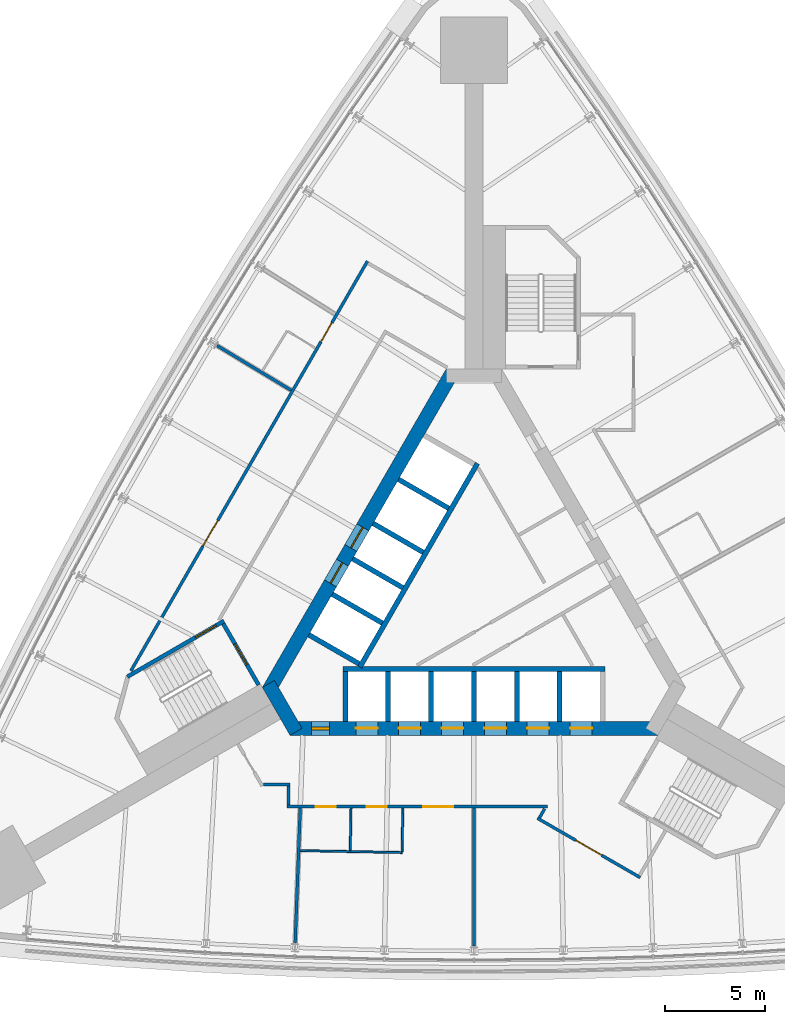
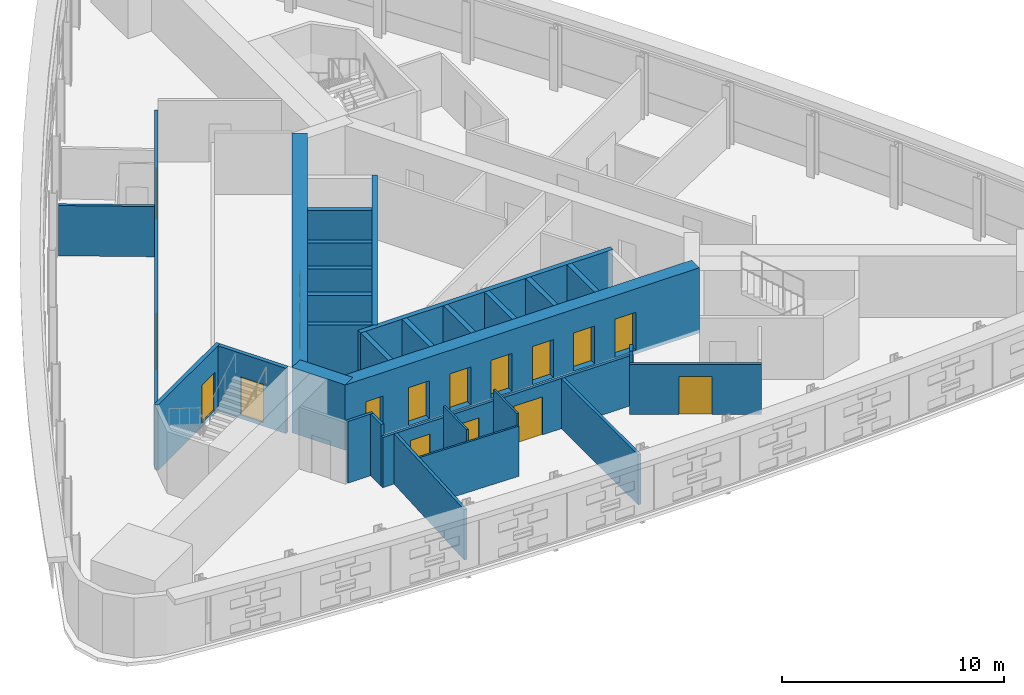
# One storey, part 10 of 14: 30 walls, 17 doors, 17 openings.
"""IFC4 building model written with IfcOpenShell, lengths in metres."""

from ifc_helpers import new_model, si_unit, direction, frame, frame_2d, origin, place, context, subcontext, project, spatial, rectangle, extrude, material, layer, layer_set, type_object, element, fill, save


model = new_model("IFC4")

# Units and contexts
model_context = context("Model", 3, precision=1e-05, world=origin(), true_north=direction((0.0, 1.0)))
body_context = subcontext(model_context, "Body", "Model", "MODEL_VIEW")
ifc_project = project(units=[si_unit("LENGTHUNIT", "METRE"), si_unit("AREAUNIT", "SQUARE_METRE"), si_unit("VOLUMEUNIT", "CUBIC_METRE"), si_unit("PLANEANGLEUNIT", "RADIAN"), si_unit("MASSUNIT", "GRAM", prefix="KILO")], contexts=[model_context])

# Site, building, storey
site_placement = place(None, origin())
site = spatial("IfcSite", under=ifc_project, at=site_placement, CompositionType="ELEMENT")
building_placement = place(site_placement, origin())
building = spatial("IfcBuilding", under=site, at=building_placement, Name="Noor Cloister Tower", CompositionType="ELEMENT")
storey_placement = place(building_placement, frame((0.0, 0.0, 34.800048828125)))
storey = spatial("IfcBuildingStorey", under=building, at=storey_placement, Name="L08", CompositionType="ELEMENT", Elevation=34.800048828125)

# Wall, openings, doors
ifc_material_1 = material(Name="Concrete C80/95", Category="concrete")
ifc_layer_1 = layer(ifc_material_1, 0.699951171875)
ifc_layer_set_1 = layer_set([ifc_layer_1], Name="Core wall 700 C80/95")
wall_type_1 = type_object("IfcWallType", Name="Core wall 700 C80/95", PredefinedType="SHEAR", material=ifc_layer_set_1)
wall_1_placement = place(storey_placement, frame((-9.228759765625, -6.578125, -0.199951171875), z_axis=(0.0, 0.0, 1.0), x_axis=(1.0, 0.0, 0.0)))
wall_1 = element("IfcWall", 1, at=wall_1_placement, inside=storey, type_object=wall_type_1, Name="Core wall L08 1", PredefinedType="SHEAR", context=body_context, shape_type="SweptSolid", body=[
    extrude(rectangle(XDim=18.45751953125, YDim=0.699951171875, at=frame_2d((9.228759765625, 0.0))), origin(), (0.0, 0.0, 1.0), 3.599853515625),
])
opening_1_placement = place(wall_1_placement, frame((3.3037109375, 0.0, 0.199951171875)))
opening_1 = element("IfcOpeningElement", 2, at=opening_1_placement, cuts=wall_1, Name="Opening L08-LR1", PredefinedType="OPENING", context=body_context, shape_type="SweptSolid", body=[
    extrude(rectangle(XDim=1.10009765625, YDim=2.10009765625, at=frame_2d((0.550048828125, 1.050048828125))), frame((0.0, 0.35986328125, 0.0), z_axis=(0.0, -1.0, 0.0), x_axis=(1.0, 0.0, 0.0)), (0.0, 0.0, 1.0), 0.719970703125),
])
opening_2_placement = place(wall_1_placement, frame((5.45361328125, 0.0, 0.199951171875)))
opening_2 = element("IfcOpeningElement", 3, at=opening_2_placement, cuts=wall_1, Name="Opening L08-LR2", PredefinedType="OPENING", context=body_context, shape_type="SweptSolid", body=[
    extrude(rectangle(XDim=1.10009765625, YDim=2.10009765625, at=frame_2d((0.550048828125, 1.050048828125))), frame((0.0, 0.35986328125, 0.0), z_axis=(0.0, -1.0, 0.0), x_axis=(1.0, 0.0, 0.0)), (0.0, 0.0, 1.0), 0.719970703125),
])
opening_3_placement = place(wall_1_placement, frame((7.603759765625, 0.0, 0.199951171875)))
opening_3 = element("IfcOpeningElement", 4, at=opening_3_placement, cuts=wall_1, Name="Opening L08-LR3", PredefinedType="OPENING", context=body_context, shape_type="SweptSolid", body=[
    extrude(rectangle(XDim=1.10009765625, YDim=2.10009765625, at=frame_2d((0.550048828125, 1.050048828125))), frame((0.0, 0.35986328125, 0.0), z_axis=(0.0, -1.0, 0.0), x_axis=(1.0, 0.0, 0.0)), (0.0, 0.0, 1.0), 0.719970703125),
])
opening_4_placement = place(wall_1_placement, frame((9.753662109375, 0.0, 0.199951171875)))
opening_4 = element("IfcOpeningElement", 5, at=opening_4_placement, cuts=wall_1, Name="Opening L08-LR4", PredefinedType="OPENING", context=body_context, shape_type="SweptSolid", body=[
    extrude(rectangle(XDim=1.10009765625, YDim=2.10009765625, at=frame_2d((0.550048828125, 1.050048828125))), frame((0.0, 0.35986328125, 0.0), z_axis=(0.0, -1.0, 0.0), x_axis=(1.0, 0.0, 0.0)), (0.0, 0.0, 1.0), 0.719970703125),
])
opening_5_placement = place(wall_1_placement, frame((11.90380859375, 0.0, 0.199951171875)))
opening_5 = element("IfcOpeningElement", 6, at=opening_5_placement, cuts=wall_1, Name="Opening L08-LR5", PredefinedType="OPENING", context=body_context, shape_type="SweptSolid", body=[
    extrude(rectangle(XDim=1.10009765625, YDim=2.10009765625, at=frame_2d((0.550048828125, 1.050048828125))), frame((0.0, 0.35986328125, 0.0), z_axis=(0.0, -1.0, 0.0), x_axis=(1.0, 0.0, 0.0)), (0.0, 0.0, 1.0), 0.719970703125),
])
opening_6_placement = place(wall_1_placement, frame((14.0537109375, 0.0, 0.199951171875)))
opening_6 = element("IfcOpeningElement", 7, at=opening_6_placement, cuts=wall_1, Name="Opening L08-LR6", PredefinedType="OPENING", context=body_context, shape_type="SweptSolid", body=[
    extrude(rectangle(XDim=1.10009765625, YDim=2.10009765625, at=frame_2d((0.550048828125, 1.050048828125))), frame((0.0, 0.35986328125, 0.0), z_axis=(0.0, -1.0, 0.0), x_axis=(1.0, 0.0, 0.0)), (0.0, 0.0, 1.0), 0.719970703125),
])
opening_7_placement = place(wall_1_placement, frame((1.078857421875, 0.0, 0.199951171875)))
opening_7 = element("IfcOpeningElement", 8, at=opening_7_placement, cuts=wall_1, Name="Opening L08-907", PredefinedType="OPENING", context=body_context, shape_type="SweptSolid", body=[
    extrude(rectangle(XDim=0.89990234375, YDim=2.10009765625, at=frame_2d((0.449951171875, 1.050048828125))), frame((0.0, 0.35986328125, 0.0), z_axis=(0.0, -1.0, 0.0), x_axis=(1.0, 0.0, 0.0)), (0.0, 0.0, 1.0), 0.719970703125),
])
ifc_material_2 = material(Name="Steel", Category="steel")
door_type_1 = type_object("IfcDoorType", Name="Core door 900 x 2100 FD60", OperationType="SINGLE_SWING_LEFT", PredefinedType="DOOR", material=ifc_material_2)
door_1_placement = place(opening_7_placement, origin())
door_1 = element("IfcDoor", 9, at=door_1_placement, inside=storey, type_object=door_type_1, Name="Core door 7 L08", OperationType="SINGLE_SWING_LEFT", OverallHeight=2.10009765625, OverallWidth=0.89990234375, PredefinedType="DOOR", context=body_context, shape_type="SweptSolid", body=[
    extrude(rectangle(XDim=0.89990234375, YDim=2.10009765625, at=frame_2d((0.449951171875, 1.050048828125))), frame((0.0, 0.074951171875, 0.0), z_axis=(0.0, -1.0, 0.0), x_axis=(1.0, 0.0, 0.0)), (0.0, 0.0, 1.0), 0.14990234375),
])
fill(opening_7, door_1)
ifc_material_3 = material(Name="Stainless steel", Category="steel")
door_type_2 = type_object("IfcDoorType", Name="Lift landing door 1100 x 2100", OperationType="DOUBLE_DOOR_SLIDING", PredefinedType="DOOR", material=ifc_material_3)
door_2_placement = place(opening_1_placement, origin())
door_2 = element("IfcDoor", 10, at=door_2_placement, inside=storey, type_object=door_type_2, Name="Landing door LR1 L08", OperationType="DOUBLE_DOOR_SLIDING", OverallHeight=2.10009765625, OverallWidth=1.10009765625, PredefinedType="DOOR", context=body_context, shape_type="SweptSolid", body=[
    extrude(rectangle(XDim=1.10009765625, YDim=2.10009765625, at=frame_2d((0.550048828125, 1.050048828125))), frame((0.0, 0.02490234375, 0.0), z_axis=(0.0, -1.0, 0.0), x_axis=(1.0, 0.0, 0.0)), (0.0, 0.0, 1.0), 0.050048828125),
])
fill(opening_1, door_2)
door_3_placement = place(opening_2_placement, origin())
door_3 = element("IfcDoor", 11, at=door_3_placement, inside=storey, type_object=door_type_2, Name="Landing door LR2 L08", OperationType="DOUBLE_DOOR_SLIDING", OverallHeight=2.10009765625, OverallWidth=1.10009765625, PredefinedType="DOOR", context=body_context, shape_type="SweptSolid", body=[
    extrude(rectangle(XDim=1.10009765625, YDim=2.10009765625, at=frame_2d((0.550048828125, 1.050048828125))), frame((0.0, 0.02490234375, 0.0), z_axis=(0.0, -1.0, 0.0), x_axis=(1.0, 0.0, 0.0)), (0.0, 0.0, 1.0), 0.050048828125),
])
fill(opening_2, door_3)
door_4_placement = place(opening_3_placement, origin())
door_4 = element("IfcDoor", 12, at=door_4_placement, inside=storey, type_object=door_type_2, Name="Landing door LR3 L08", OperationType="DOUBLE_DOOR_SLIDING", OverallHeight=2.10009765625, OverallWidth=1.10009765625, PredefinedType="DOOR", context=body_context, shape_type="SweptSolid", body=[
    extrude(rectangle(XDim=1.10009765625, YDim=2.10009765625, at=frame_2d((0.550048828125, 1.050048828125))), frame((0.0, 0.02490234375, 0.0), z_axis=(0.0, -1.0, 0.0), x_axis=(1.0, 0.0, 0.0)), (0.0, 0.0, 1.0), 0.050048828125),
])
fill(opening_3, door_4)
door_5_placement = place(opening_4_placement, origin())
door_5 = element("IfcDoor", 13, at=door_5_placement, inside=storey, type_object=door_type_2, Name="Landing door LR4 L08", OperationType="DOUBLE_DOOR_SLIDING", OverallHeight=2.10009765625, OverallWidth=1.10009765625, PredefinedType="DOOR", context=body_context, shape_type="SweptSolid", body=[
    extrude(rectangle(XDim=1.10009765625, YDim=2.10009765625, at=frame_2d((0.550048828125, 1.050048828125))), frame((0.0, 0.02490234375, 0.0), z_axis=(0.0, -1.0, 0.0), x_axis=(1.0, 0.0, 0.0)), (0.0, 0.0, 1.0), 0.050048828125),
])
fill(opening_4, door_5)
door_6_placement = place(opening_5_placement, origin())
door_6 = element("IfcDoor", 14, at=door_6_placement, inside=storey, type_object=door_type_2, Name="Landing door LR5 L08", OperationType="DOUBLE_DOOR_SLIDING", OverallHeight=2.10009765625, OverallWidth=1.10009765625, PredefinedType="DOOR", context=body_context, shape_type="SweptSolid", body=[
    extrude(rectangle(XDim=1.10009765625, YDim=2.10009765625, at=frame_2d((0.550048828125, 1.050048828125))), frame((0.0, 0.02490234375, 0.0), z_axis=(0.0, -1.0, 0.0), x_axis=(1.0, 0.0, 0.0)), (0.0, 0.0, 1.0), 0.050048828125),
])
fill(opening_5, door_6)
door_7_placement = place(opening_6_placement, origin())
door_7 = element("IfcDoor", 15, at=door_7_placement, inside=storey, type_object=door_type_2, Name="Landing door LR6 L08", OperationType="DOUBLE_DOOR_SLIDING", OverallHeight=2.10009765625, OverallWidth=1.10009765625, PredefinedType="DOOR", context=body_context, shape_type="SweptSolid", body=[
    extrude(rectangle(XDim=1.10009765625, YDim=2.10009765625, at=frame_2d((0.550048828125, 1.050048828125))), frame((0.0, 0.02490234375, 0.0), z_axis=(0.0, -1.0, 0.0), x_axis=(1.0, 0.0, 0.0)), (0.0, 0.0, 1.0), 0.050048828125),
])
fill(opening_6, door_7)

wall_2_placement = place(storey_placement, frame((-1.08251953125, 11.281494140625, -0.199951171875), z_axis=(0.0, 0.0, 1.0), x_axis=(-0.500001446645, -0.866024568562, 0.0)))
wall_2 = element("IfcWall", 16, at=wall_2_placement, inside=storey, type_object=wall_type_1, Name="Core wall L08 5", PredefinedType="SHEAR", context=body_context, shape_type="SweptSolid", body=[
    extrude(rectangle(XDim=18.45751953125, YDim=0.699951171875, at=frame_2d((9.228759765625, 0.0))), origin(), (0.0, 0.0, 1.0), 3.599853515625),
])
opening_8_placement = place(wall_2_placement, frame((8.978759765625, 0.0, 0.199951171875)))
opening_8 = element("IfcOpeningElement", 17, at=opening_8_placement, cuts=wall_2, Name="Opening L08-FF1", PredefinedType="OPENING", context=body_context, shape_type="SweptSolid", body=[
    extrude(rectangle(XDim=1.199951171875, YDim=2.10009765625, at=frame_2d((0.60009765625, 1.050048828125))), frame((0.0, 0.35986328125, 0.0), z_axis=(0.0, -1.0, 0.0), x_axis=(1.0, 0.0, 0.0)), (0.0, 0.0, 1.0), 0.719970703125),
])
opening_9_placement = place(wall_2_placement, frame((11.02880859375, 0.0, 0.199951171875)))
opening_9 = element("IfcOpeningElement", 18, at=opening_9_placement, cuts=wall_2, Name="Opening L08-FF2", PredefinedType="OPENING", context=body_context, shape_type="SweptSolid", body=[
    extrude(rectangle(XDim=1.199951171875, YDim=2.10009765625, at=frame_2d((0.60009765625, 1.050048828125))), frame((0.0, 0.35986328125, 0.0), z_axis=(0.0, -1.0, 0.0), x_axis=(1.0, 0.0, 0.0)), (0.0, 0.0, 1.0), 0.719970703125),
])
ifc_material_4 = material(Name="Stainless steel", Category="steel")
door_type_3 = type_object("IfcDoorType", Name="Lift landing door 1200 x 2100", OperationType="DOUBLE_DOOR_SLIDING", PredefinedType="DOOR", material=ifc_material_4)
door_8_placement = place(opening_8_placement, origin())
door_8 = element("IfcDoor", 19, at=door_8_placement, inside=storey, type_object=door_type_3, Name="Landing door FF1 L08", OperationType="DOUBLE_DOOR_SLIDING", OverallHeight=2.10009765625, OverallWidth=1.199951171875, PredefinedType="DOOR", context=body_context, shape_type="SweptSolid", body=[
    extrude(rectangle(XDim=1.199951171875, YDim=2.10009765625, at=frame_2d((0.60009765625, 1.050048828125))), frame((0.0, 0.02490234375, 0.0), z_axis=(0.0, -1.0, 0.0), x_axis=(1.0, 0.0, 0.0)), (0.0, 0.0, 1.0), 0.050048828125),
])
fill(opening_8, door_8)
door_9_placement = place(opening_9_placement, origin())
door_9 = element("IfcDoor", 20, at=door_9_placement, inside=storey, type_object=door_type_3, Name="Landing door FF2 L08", OperationType="DOUBLE_DOOR_SLIDING", OverallHeight=2.10009765625, OverallWidth=1.199951171875, PredefinedType="DOOR", context=body_context, shape_type="SweptSolid", body=[
    extrude(rectangle(XDim=1.199951171875, YDim=2.10009765625, at=frame_2d((0.60009765625, 1.050048828125))), frame((0.0, 0.02490234375, 0.0), z_axis=(0.0, -1.0, 0.0), x_axis=(1.0, 0.0, 0.0)), (0.0, 0.0, 1.0), 0.050048828125),
])
fill(opening_9, door_9)

# Wall
wall_3_placement = place(storey_placement, frame((-10.311279296875, -4.353271484375, -0.199951171875), z_axis=(0.0, 0.0, 1.0), x_axis=(0.500042739161, -0.866000726912, 0.0)))
element("IfcWall", 21, at=wall_3_placement, inside=storey, type_object=wall_type_1, Name="Core wall L08 6", PredefinedType="SHEAR", context=body_context, shape_type="SweptSolid", body=[
    extrude(rectangle(XDim=2.771240234375, YDim=0.699951171875, at=frame_2d((1.3857421875, 0.0))), origin(), (0.0, 0.0, 1.0), 3.599853515625),
])

# Wall, openings, doors
ifc_material_5 = material(Name="Gypsum board partition on steel studs, 150 mm", Category="steel")
ifc_layer_2 = layer(ifc_material_5, 0.14990234375)
ifc_layer_set_2 = layer_set([ifc_layer_2], Name="Flat wall 150")
wall_type_2 = type_object("IfcWallType", Name="Flat wall 150", PredefinedType="PARTITIONING", material=ifc_layer_set_2)
wall_4_placement = place(storey_placement, frame((-17.208251953125, -3.69921875, 0.0), z_axis=(0.0, 0.0, 1.0), x_axis=(0.499997567621, 0.866026808115, 0.0)))
wall_4 = element("IfcWall", 22, at=wall_4_placement, inside=storey, type_object=wall_type_2, Name="Flat wall 150 L08 001", PredefinedType="PARTITIONING", context=body_context, shape_type="SweptSolid", body=[
    extrude(rectangle(XDim=23.736328125, YDim=0.14990234375, at=frame_2d((11.8681640625, 0.0))), origin(), (0.0, 0.0, 1.0), 2.76806640625),
])
opening_10_placement = place(wall_4_placement, frame((19.069580078125, 0.0, 0.0)))
opening_10 = element("IfcOpeningElement", 23, at=opening_10_placement, cuts=wall_4, Name="Opening L08-001", PredefinedType="OPENING", context=body_context, shape_type="SweptSolid", body=[
    extrude(rectangle(XDim=1.10009765625, YDim=2.10009765625, at=frame_2d((0.550048828125, 1.050048828125))), frame((0.0, 0.0849609375, 0.0), z_axis=(0.0, -1.0, 0.0), x_axis=(1.0, 0.0, 0.0)), (0.0, 0.0, 1.0), 0.169921875),
])
opening_11_placement = place(wall_4_placement, frame((7.224853515625, 0.0, 0.0)))
opening_11 = element("IfcOpeningElement", 24, at=opening_11_placement, cuts=wall_4, Name="Opening L08-002", PredefinedType="OPENING", context=body_context, shape_type="SweptSolid", body=[
    extrude(rectangle(XDim=1.5, YDim=2.10009765625, at=frame_2d((0.75, 1.050048828125))), frame((0.0, 0.0849609375, 0.0), z_axis=(0.0, -1.0, 0.0), x_axis=(1.0, 0.0, 0.0)), (0.0, 0.0, 1.0), 0.169921875),
])
ifc_material_6 = material(Name="Timber door leaf with steel frame", Category="steel")
door_type_4 = type_object("IfcDoorType", Name="Double door 1500 FD60", OperationType="NOTDEFINED", PredefinedType="DOOR", material=ifc_material_6)
door_10_placement = place(opening_11_placement, origin())
door_10 = element("IfcDoor", 25, at=door_10_placement, inside=storey, type_object=door_type_4, Name="Double door 1500 L08-002", OperationType="DOUBLE_DOOR_SINGLE_SWING", OverallHeight=2.10009765625, OverallWidth=1.5, PredefinedType="DOOR", context=body_context, shape_type="SweptSolid", body=[
    extrude(rectangle(XDim=1.5, YDim=2.10009765625, at=frame_2d((0.75, 1.050048828125))), frame((0.0, 0.02490234375, 0.0), z_axis=(0.0, -1.0, 0.0), x_axis=(1.0, 0.0, 0.0)), (0.0, 0.0, 1.0), 0.050048828125),
])
fill(opening_11, door_10)
ifc_material_7 = material(Name="Timber door leaf with steel frame", Category="steel")
door_type_5 = type_object("IfcDoorType", Name="Resident room door 1100", OperationType="NOTDEFINED", PredefinedType="DOOR", material=ifc_material_7)
door_11_placement = place(opening_10_placement, origin())
door_11 = element("IfcDoor", 26, at=door_11_placement, inside=storey, type_object=door_type_5, Name="Resident room door 1100 L08-001", OperationType="SINGLE_SWING_RIGHT", OverallHeight=2.10009765625, OverallWidth=1.10009765625, PredefinedType="DOOR", context=body_context, shape_type="SweptSolid", body=[
    extrude(rectangle(XDim=1.10009765625, YDim=2.10009765625, at=frame_2d((0.550048828125, 1.050048828125))), frame((0.0, 0.02490234375, 0.0), z_axis=(0.0, -1.0, 0.0), x_axis=(1.0, 0.0, 0.0)), (0.0, 0.0, 1.0), 0.050048828125),
])
fill(opening_10, door_11)

wall_5_placement = place(storey_placement, frame((3.68896484375, -10.503173828125, 0.0), z_axis=(0.0, 0.0, 1.0), x_axis=(-1.0, 0.0, 0.0)))
wall_5 = element("IfcWall", 27, at=wall_5_placement, inside=storey, type_object=wall_type_2, Name="Flat wall 150 L08 004", PredefinedType="PARTITIONING", context=body_context, shape_type="SweptSolid", body=[
    extrude(rectangle(XDim=13.067626953125, YDim=0.14990234375, at=frame_2d((6.53369140625, 0.0))), origin(), (0.0, 0.0, 1.0), 2.76806640625),
])
opening_12_placement = place(wall_5_placement, frame((10.61669921875, 0.0, 0.0)))
opening_12 = element("IfcOpeningElement", 28, at=opening_12_placement, cuts=wall_5, Name="Opening L08-006", PredefinedType="OPENING", context=body_context, shape_type="SweptSolid", body=[
    extrude(rectangle(XDim=1.0, YDim=2.10009765625, at=frame_2d((0.5, 1.050048828125))), frame((0.0, 0.0849609375, 0.0), z_axis=(0.0, -1.0, 0.0), x_axis=(1.0, 0.0, 0.0)), (0.0, 0.0, 1.0), 0.169921875),
])
opening_13_placement = place(wall_5_placement, frame((8.054443359375, 0.0, 0.0)))
opening_13 = element("IfcOpeningElement", 29, at=opening_13_placement, cuts=wall_5, Name="Opening L08-007", PredefinedType="OPENING", context=body_context, shape_type="SweptSolid", body=[
    extrude(rectangle(XDim=1.0, YDim=2.10009765625, at=frame_2d((0.5, 1.050048828125))), frame((0.0, 0.0849609375, 0.0), z_axis=(0.0, -1.0, 0.0), x_axis=(1.0, 0.0, 0.0)), (0.0, 0.0, 1.0), 0.169921875),
])
opening_14_placement = place(wall_5_placement, frame((4.734130859375, 0.0, 0.0)))
opening_14 = element("IfcOpeningElement", 30, at=opening_14_placement, cuts=wall_5, Name="Opening L08-008", PredefinedType="OPENING", context=body_context, shape_type="SweptSolid", body=[
    extrude(rectangle(XDim=1.5, YDim=2.10009765625, at=frame_2d((0.75, 1.050048828125))), frame((0.0, 0.0849609375, 0.0), z_axis=(0.0, -1.0, 0.0), x_axis=(1.0, 0.0, 0.0)), (0.0, 0.0, 1.0), 0.169921875),
])
ifc_material_8 = material(Name="Timber door leaf with steel frame", Category="steel")
door_type_6 = type_object("IfcDoorType", Name="Accessible WC door 1000", OperationType="NOTDEFINED", PredefinedType="DOOR", material=ifc_material_8)
door_12_placement = place(opening_12_placement, origin())
door_12 = element("IfcDoor", 31, at=door_12_placement, inside=storey, type_object=door_type_6, Name="Accessible WC door 1000 L08-006", OperationType="SINGLE_SWING_RIGHT", OverallHeight=2.10009765625, OverallWidth=1.0, PredefinedType="DOOR", context=body_context, shape_type="SweptSolid", body=[
    extrude(rectangle(XDim=1.0, YDim=2.10009765625, at=frame_2d((0.5, 1.050048828125))), frame((0.0, 0.02490234375, 0.0), z_axis=(0.0, -1.0, 0.0), x_axis=(1.0, 0.0, 0.0)), (0.0, 0.0, 1.0), 0.050048828125),
])
fill(opening_12, door_12)
door_13_placement = place(opening_14_placement, origin())
door_13 = element("IfcDoor", 32, at=door_13_placement, inside=storey, type_object=door_type_4, Name="Double door 1500 L08-008", OperationType="DOUBLE_DOOR_SINGLE_SWING", OverallHeight=2.10009765625, OverallWidth=1.5, PredefinedType="DOOR", context=body_context, shape_type="SweptSolid", body=[
    extrude(rectangle(XDim=1.5, YDim=2.10009765625, at=frame_2d((0.75, 1.050048828125))), frame((0.0, 0.02490234375, 0.0), z_axis=(0.0, -1.0, 0.0), x_axis=(1.0, 0.0, 0.0)), (0.0, 0.0, 1.0), 0.050048828125),
])
fill(opening_14, door_13)
ifc_material_9 = material(Name="Timber door leaf with steel frame", Category="steel")
door_type_7 = type_object("IfcDoorType", Name="Interior door 1000 FD60", OperationType="NOTDEFINED", PredefinedType="DOOR", material=ifc_material_9)
door_14_placement = place(opening_13_placement, origin())
door_14 = element("IfcDoor", 33, at=door_14_placement, inside=storey, type_object=door_type_7, Name="Interior door 1000 L08-007", OperationType="SINGLE_SWING_RIGHT", OverallHeight=2.10009765625, OverallWidth=1.0, PredefinedType="DOOR", context=body_context, shape_type="SweptSolid", body=[
    extrude(rectangle(XDim=1.0, YDim=2.10009765625, at=frame_2d((0.5, 1.050048828125))), frame((0.0, 0.02490234375, 0.0), z_axis=(0.0, -1.0, 0.0), x_axis=(1.0, 0.0, 0.0)), (0.0, 0.0, 1.0), 0.050048828125),
])
fill(opening_13, door_14)

# Wall, opening, door
wall_6_placement = place(storey_placement, frame((8.341064453125, -14.065673828125, 0.0), z_axis=(0.0, 0.0, 1.0), x_axis=(-0.866017493347, 0.500013701029, 0.0)))
wall_6 = element("IfcWall", 34, at=wall_6_placement, inside=storey, type_object=wall_type_2, Name="Flat wall 150 L08 006", PredefinedType="PARTITIONING", context=body_context, shape_type="SweptSolid", body=[
    extrude(rectangle(XDim=5.949951171875, YDim=0.14990234375, at=frame_2d((2.97509765625, 0.0))), origin(), (0.0, 0.0, 1.0), 2.76806640625),
])
opening_15_placement = place(wall_6_placement, frame((2.22509765625, 0.0, 0.0)))
opening_15 = element("IfcOpeningElement", 35, at=opening_15_placement, cuts=wall_6, Name="Opening L08-010", PredefinedType="OPENING", context=body_context, shape_type="SweptSolid", body=[
    extrude(rectangle(XDim=1.5, YDim=2.10009765625, at=frame_2d((0.75, 1.050048828125))), frame((0.0, 0.0849609375, 0.0), z_axis=(0.0, -1.0, 0.0), x_axis=(1.0, 0.0, 0.0)), (0.0, 0.0, 1.0), 0.169921875),
])
door_15_placement = place(opening_15_placement, origin())
door_15 = element("IfcDoor", 36, at=door_15_placement, inside=storey, type_object=door_type_4, Name="Double door 1500 L08-010", OperationType="DOUBLE_DOOR_SINGLE_SWING", OverallHeight=2.10009765625, OverallWidth=1.5, PredefinedType="DOOR", context=body_context, shape_type="SweptSolid", body=[
    extrude(rectangle(XDim=1.5, YDim=2.10009765625, at=frame_2d((0.75, 1.050048828125))), frame((0.0, 0.02490234375, 0.0), z_axis=(0.0, -1.0, 0.0), x_axis=(1.0, 0.0, 0.0)), (0.0, 0.0, 1.0), 0.050048828125),
])
fill(opening_15, door_15)

# Walls
wall_7_placement = place(storey_placement, frame((-10.55517578125, -9.4033203125, 0.0), z_axis=(0.0, 0.0, 1.0), x_axis=(1.0, 0.0, 0.0)))
element("IfcWall", 37, at=wall_7_placement, inside=storey, type_object=wall_type_2, Name="Flat wall 150 L08 014", PredefinedType="PARTITIONING", context=body_context, shape_type="SweptSolid", body=[
    extrude(rectangle(XDim=1.326416015625, YDim=0.14990234375, at=frame_2d((0.6630859375, 0.0))), origin(), (0.0, 0.0, 1.0), 3.39990234375),
])
wall_8_placement = place(storey_placement, frame((-9.3037109375, -10.42822265625, 0.0), z_axis=(0.0, 0.0, 1.0), x_axis=(0.0, 1.0, 0.0)))
element("IfcWall", 38, at=wall_8_placement, inside=storey, type_object=wall_type_2, Name="Flat wall 150 L08 015", PredefinedType="PARTITIONING", context=body_context, shape_type="SweptSolid", body=[
    extrude(rectangle(XDim=0.949951171875, YDim=0.14990234375, at=frame_2d((0.47509765625, 0.0))), origin(), (0.0, 0.0, 1.0), 3.39990234375),
])
wall_9_placement = place(storey_placement, frame((3.290771484375, -11.063232421875, 0.0), z_axis=(0.0, 0.0, 1.0), x_axis=(0.499899694197, 0.866083307622, 0.0)))
element("IfcWall", 39, at=wall_9_placement, inside=storey, type_object=wall_type_2, Name="Flat wall 150 L08 016", PredefinedType="PARTITIONING", context=body_context, shape_type="SweptSolid", body=[
    extrude(rectangle(XDim=0.5166015625, YDim=0.14990234375, at=frame_2d((0.25830078125, 0.0))), origin(), (0.0, 0.0, 1.0), 3.39990234375),
])
wall_10_placement = place(storey_placement, frame((0.0, -17.5068359375, 0.0), z_axis=(0.0, 0.0, 1.0), x_axis=(0.0, 1.0, 0.0)))
element("IfcWall", 40, at=wall_10_placement, inside=storey, type_object=wall_type_2, Name="Flat wall 150 L08 019", PredefinedType="PARTITIONING", context=body_context, shape_type="SweptSolid", body=[
    extrude(rectangle(XDim=6.9287109375, YDim=0.14990234375, at=frame_2d((3.46435546875, 0.0))), origin(), (0.0, 0.0, 1.0), 2.76806640625),
])
wall_11_placement = place(storey_placement, frame((-8.968017578125, -17.3388671875, 0.0), z_axis=(0.0, 0.0, 1.0), x_axis=(0.037473660589, 0.999297615709, 0.0)))
element("IfcWall", 41, at=wall_11_placement, inside=storey, type_object=wall_type_2, Name="Flat wall 150 L08 020", PredefinedType="PARTITIONING", context=body_context, shape_type="SweptSolid", body=[
    extrude(rectangle(XDim=6.762451171875, YDim=0.14990234375, at=frame_2d((3.38134765625, 0.0))), origin(), (0.0, 0.0, 1.0), 2.77783203125),
])
wall_12_placement = place(storey_placement, frame((-12.882568359375, 12.6162109375, 0.0), z_axis=(0.0, 0.0, 1.0), x_axis=(0.856527594015, -0.51610123105, 0.0)))
element("IfcWall", 42, at=wall_12_placement, inside=storey, type_object=wall_type_2, Name="Flat wall 150 L08 021", PredefinedType="PARTITIONING", context=body_context, shape_type="SweptSolid", body=[
    extrude(rectangle(XDim=4.3359375, YDim=0.14990234375, at=frame_2d((2.16796875, 0.0))), origin(), (0.0, 0.0, 1.0), 2.76806640625),
])
ifc_material_10 = material(Name="Gypsum board partition on steel studs, 100 mm", Category="steel")
ifc_layer_3 = layer(ifc_material_10, 0.10009765625)
ifc_layer_set_3 = layer_set([ifc_layer_3], Name="Partition 100")
wall_type_3 = type_object("IfcWallType", Name="Partition 100", PredefinedType="PARTITIONING", material=ifc_layer_set_3)
wall_13_placement = place(storey_placement, frame((-8.71875, -12.716796875, 0.0), z_axis=(0.0, 0.0, 1.0), x_axis=(0.999824773789, -0.018719554441, 0.0)))
element("IfcWall", 43, at=wall_13_placement, inside=storey, type_object=wall_type_3, Name="Partition 100 L08 023", PredefinedType="PARTITIONING", context=body_context, shape_type="SweptSolid", body=[
    extrude(rectangle(XDim=5.112548828125, YDim=0.10009765625, at=frame_2d((2.55615234375, 0.0))), origin(), (0.0, 0.0, 1.0), 2.76806640625),
])
wall_14_placement = place(storey_placement, frame((-3.606201171875, -12.762451171875, 0.0), z_axis=(0.0, 0.0, 1.0), x_axis=(0.018670568063, 0.999825689752, 0.0)))
element("IfcWall", 44, at=wall_14_placement, inside=storey, type_object=wall_type_3, Name="Partition 100 L08 027", PredefinedType="PARTITIONING", context=body_context, shape_type="SweptSolid", body=[
    extrude(rectangle(XDim=2.183837890625, YDim=0.10009765625, at=frame_2d((1.091796875, 0.0))), origin(), (0.0, 0.0, 1.0), 3.39990234375),
])
wall_15_placement = place(storey_placement, frame((-6.205810546875, -12.7138671875, 0.0), z_axis=(0.0, 0.0, 1.0), x_axis=(0.018638115979, 0.99982629523, 0.0)))
element("IfcWall", 45, at=wall_15_placement, inside=storey, type_object=wall_type_3, Name="Partition 100 L08 028", PredefinedType="PARTITIONING", context=body_context, shape_type="SweptSolid", body=[
    extrude(rectangle(XDim=2.13525390625, YDim=0.10009765625, at=frame_2d((1.067626953125, 0.0))), origin(), (0.0, 0.0, 1.0), 3.39990234375),
])
ifc_material_11 = material(Name="Concrete C80/95", Category="concrete")
ifc_layer_4 = layer(ifc_material_11, 0.25)
ifc_layer_set_4 = layer_set([ifc_layer_4], Name="Shaft wall 250 C80/95")
wall_type_4 = type_object("IfcWallType", Name="Shaft wall 250 C80/95", PredefinedType="PARTITIONING", material=ifc_layer_set_4)
for number, where, z_axis, x_axis, name in (
    (46, (-6.449951171875, -6.228271484375, -0.199951171875), (0.0, 0.0, 1.0), (0.0, 1.0, 0.0), "Lift shaft wall L08 S 1"),
    (47, (-4.300048828125, -6.228271484375, -0.199951171875), (0.0, 0.0, 1.0), (0.0, 1.0, 0.0), "Lift shaft wall L08 S 2"),
    (48, (-2.14990234375, -6.228271484375, -0.199951171875), (0.0, 0.0, 1.0), (0.0, 1.0, 0.0), "Lift shaft wall L08 S 3"),
    (49, (0.0, -6.228271484375, -0.199951171875), (0.0, 0.0, 1.0), (0.0, 1.0, 0.0), "Lift shaft wall L08 S 4"),
    (50, (2.14990234375, -6.228271484375, -0.199951171875), (0.0, 0.0, 1.0), (0.0, 1.0, 0.0), "Lift shaft wall L08 S 5"),
    (51, (4.300048828125, -6.228271484375, -0.199951171875), (0.0, 0.0, 1.0), (0.0, 1.0, 0.0), "Lift shaft wall L08 S 6"),
):
    element("IfcWall", number, at=place(storey_placement, frame(where, z_axis=z_axis, x_axis=x_axis)), inside=storey, type_object=wall_type_4, Name=name, PredefinedType="PARTITIONING", context=body_context, shape_type="SweptSolid", body=[
        extrude(rectangle(XDim=2.5, YDim=0.25, at=frame_2d((1.25, 0.0))), origin(), (0.0, 0.0, 1.0), 3.599853515625),
    ])
wall_16_placement = place(storey_placement, frame((-6.574951171875, -3.603271484375, 0.0), z_axis=(0.0, 0.0, 1.0), x_axis=(1.0, 0.0, 0.0)))
element("IfcWall", 52, at=wall_16_placement, inside=storey, type_object=wall_type_4, Name="Lift shaft back wall L08 S", PredefinedType="PARTITIONING", context=body_context, shape_type="SweptSolid", body=[
    extrude(rectangle(XDim=13.14990234375, YDim=0.25, at=frame_2d((6.574951171875, 0.0))), origin(), (0.0, 0.0, 1.0), 3.39990234375),
])
for number, where, z_axis, x_axis, name in (
    (53, (-3.78125, 5.906982421875, -0.199951171875), (0.0, 0.0, 1.0), (0.866032775405, -0.499987231761, 0.0), "Lift shaft wall L08 NW 2"),
    (54, (-5.056396484375, 3.69873046875, -0.199951171875), (0.0, 0.0, 1.0), (0.866032775405, -0.499987231761, 0.0), "Lift shaft wall L08 NW 3"),
    (55, (-6.081298828125, 1.92333984375, -0.199951171875), (0.0, 0.0, 1.0), (0.866032775405, -0.499987231761, 0.0), "Lift shaft wall L08 NW 4"),
    (56, (-7.106201171875, 0.14794921875, -0.199951171875), (0.0, 0.0, 1.0), (0.866032775405, -0.499987231761, 0.0), "Lift shaft wall L08 NW 5"),
    (57, (-8.28125, -1.88720703125, -0.199951171875), (0.0, 0.0, 1.0), (0.866032775405, -0.499987231761, 0.0), "Lift shaft wall L08 NW 6"),
):
    element("IfcWall", number, at=place(storey_placement, frame(where, z_axis=z_axis, x_axis=x_axis)), inside=storey, type_object=wall_type_4, Name=name, PredefinedType="PARTITIONING", context=body_context, shape_type="SweptSolid", body=[
        extrude(rectangle(XDim=2.89990234375, YDim=0.25, at=frame_2d((1.449951171875, 0.0))), origin(), (0.0, 0.0, 1.0), 3.599853515625),
    ])
wall_17_placement = place(storey_placement, frame((0.176025390625, 6.711181640625, 0.0), z_axis=(0.0, 0.0, 1.0), x_axis=(-0.500004227369, -0.866022963098, 0.0)))
element("IfcWall", 58, at=wall_17_placement, inside=storey, type_object=wall_type_4, Name="Lift shaft back wall L08 NW", PredefinedType="PARTITIONING", context=body_context, shape_type="SweptSolid", body=[
    extrude(rectangle(XDim=11.80029296875, YDim=0.25, at=frame_2d((5.900146484375, 0.0))), origin(), (0.0, 0.0, 1.0), 3.39990234375),
])

# Wall, opening, door
ifc_material_12 = material(Name="Concrete C80/95", Category="concrete")
ifc_layer_5 = layer(ifc_material_12, 0.199951171875)
ifc_layer_set_5 = layer_set([ifc_layer_5], Name="Stair enclosure wall 200 C80/95")
wall_type_5 = type_object("IfcWallType", Name="Stair enclosure wall 200 C80/95", PredefinedType="SHEAR", material=ifc_layer_set_5)
wall_18_placement = place(storey_placement, frame((-12.575927734375, -1.33056640625, -0.199951171875), z_axis=(0.0, 0.0, 1.0), x_axis=(0.499970499736, -0.8660424351, 0.0)))
wall_18 = element("IfcWall", 59, at=wall_18_placement, inside=storey, type_object=wall_type_5, Name="Stair enclosure wall ST2 L08 near end", PredefinedType="SHEAR", context=body_context, shape_type="SweptSolid", body=[
    extrude(rectangle(XDim=3.550048828125, YDim=0.199951171875, at=frame_2d((1.77490234375, 0.0))), origin(), (0.0, 0.0, 1.0), 3.599853515625),
])
opening_16_placement = place(wall_18_placement, frame((1.175048828125, 0.0, 0.199951171875)))
opening_16 = element("IfcOpeningElement", 60, at=opening_16_placement, cuts=wall_18, Name="Opening L08-ST2L", PredefinedType="OPENING", context=body_context, shape_type="SweptSolid", body=[
    extrude(rectangle(XDim=1.199951171875, YDim=2.10009765625, at=frame_2d((0.60009765625, 1.050048828125))), frame((0.0, 0.10986328125, 0.0), z_axis=(0.0, -1.0, 0.0), x_axis=(1.0, 0.0, 0.0)), (0.0, 0.0, 1.0), 0.219970703125),
])
ifc_material_13 = material(Name="Steel", Category="steel")
door_type_8 = type_object("IfcDoorType", Name="Stair door 1200 x 2100 FD120", OperationType="SINGLE_SWING_LEFT", PredefinedType="DOOR", material=ifc_material_13)
door_16_placement = place(opening_16_placement, origin())
door_16 = element("IfcDoor", 61, at=door_16_placement, inside=storey, type_object=door_type_8, Name="Stair door ST2 L08", OperationType="SINGLE_SWING_RIGHT", OverallHeight=2.10009765625, OverallWidth=1.199951171875, PredefinedType="DOOR", context=body_context, shape_type="SweptSolid", body=[
    extrude(rectangle(XDim=1.199951171875, YDim=2.10009765625, at=frame_2d((0.60009765625, 1.050048828125))), frame((0.0, 0.02490234375, 0.0), z_axis=(0.0, -1.0, 0.0), x_axis=(1.0, 0.0, 0.0)), (0.0, 0.0, 1.0), 0.050048828125),
])
fill(opening_16, door_16)

wall_19_placement = place(storey_placement, frame((-12.539306640625, -1.194091796875, -0.199951171875), z_axis=(0.0, 0.0, 1.0), x_axis=(-0.866045472092, -0.499965239061, 0.0)))
wall_19 = element("IfcWall", 62, at=wall_19_placement, inside=storey, type_object=wall_type_5, Name="Stair enclosure wall ST2 L08 outer side", PredefinedType="SHEAR", context=body_context, shape_type="SweptSolid", body=[
    extrude(rectangle(XDim=5.60009765625, YDim=0.199951171875, at=frame_2d((2.800048828125, 0.0))), origin(), (0.0, 0.0, 1.0), 3.599853515625),
])
opening_17_placement = place(wall_19_placement, frame((0.449951171875, 0.0, 0.199951171875)))
opening_17 = element("IfcOpeningElement", 63, at=opening_17_placement, cuts=wall_19, Name="Opening L08-ST2C", PredefinedType="OPENING", context=body_context, shape_type="SweptSolid", body=[
    extrude(rectangle(XDim=1.199951171875, YDim=2.10009765625, at=frame_2d((0.60009765625, 1.050048828125))), frame((0.0, 0.10986328125, 0.0), z_axis=(0.0, -1.0, 0.0), x_axis=(1.0, 0.0, 0.0)), (0.0, 0.0, 1.0), 0.219970703125),
])
door_17_placement = place(opening_17_placement, origin())
door_17 = element("IfcDoor", 64, at=door_17_placement, inside=storey, type_object=door_type_8, Name="Stair door ST2 L08", OperationType="SINGLE_SWING_LEFT", OverallHeight=2.10009765625, OverallWidth=1.199951171875, PredefinedType="DOOR", context=body_context, shape_type="SweptSolid", body=[
    extrude(rectangle(XDim=1.199951171875, YDim=2.10009765625, at=frame_2d((0.60009765625, 1.050048828125))), frame((0.0, 0.02490234375, 0.0), z_axis=(0.0, -1.0, 0.0), x_axis=(1.0, 0.0, 0.0)), (0.0, 0.0, 1.0), 0.050048828125),
])
fill(opening_17, door_17)

save(model, "model.ifc")
